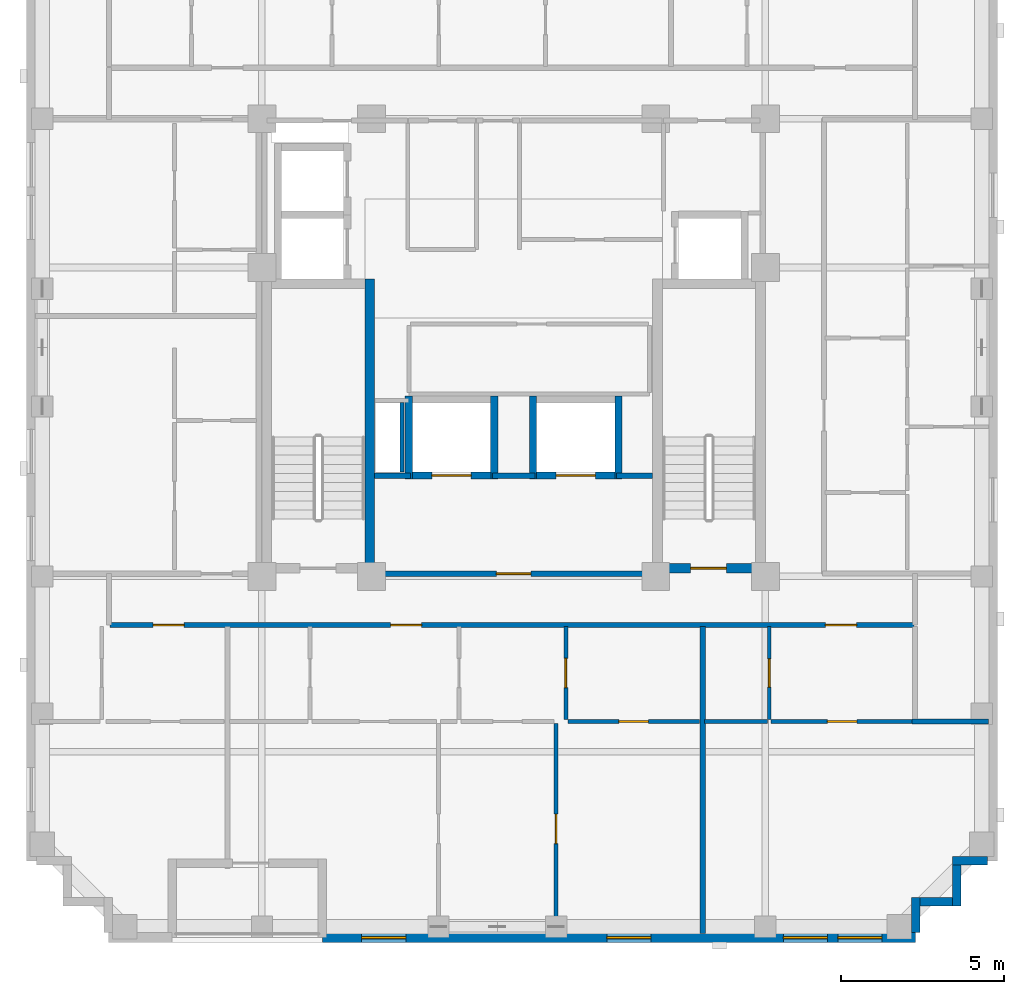
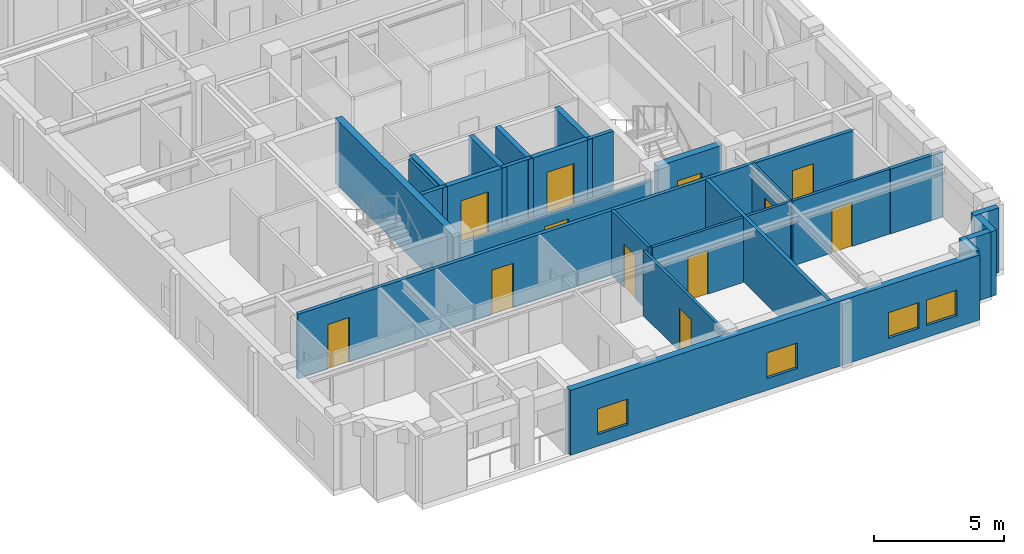
# One storey, part 3 of 10: 27 walls, 12 doors, 4 windows, 16 openings.
"""IFC4 building model written with IfcOpenShell, lengths in metres."""

import ifcopenshell
import ifcopenshell.guid

model = None  # the IFC model being written
_history = None  # IfcOwnerHistory: only IFC2X3 demands one
_inside = {}  # id of a spatial element -> (the spatial element, [elements in it])
_under = {}  # id of a project, library or spatial element -> (it, [spatial elements below it])
_declared = {}  # id of a project -> (the project, [libraries it declares])
_typed = {}  # id of a type object -> (the type object, [elements of that type])
_made_of = {}  # id of a material, layer set ... -> (it, [elements and type objects made of it])


def new_model(schema):
    """Start an empty IFC model of exactly this schema.

    Asked for "IFC4X3", IfcOpenShell would pick the latest addendum, in which some entities
    have other attributes; the version numbers below select the first issue.
    IFC2X3 requires an IfcOwnerHistory on every rooted entity: one is made here for all.
    """
    global model, _history
    if schema == "IFC4X3":
        model = ifcopenshell.file(schema_version=(4, 3, 0, 0))
    else:
        model = ifcopenshell.file(schema=schema)
    _inside.clear()
    _under.clear()
    _declared.clear()
    _typed.clear()
    _made_of.clear()
    _history = None
    if model.schema == "IFC2X3":
        org = make("IfcOrganization", Name="unknown")
        user = make(
            "IfcPersonAndOrganization",
            ThePerson=make("IfcPerson", FamilyName="unknown"),
            TheOrganization=org,
        )
        app = make(
            "IfcApplication",
            ApplicationDeveloper=org,
            Version="unknown",
            ApplicationFullName="unknown",
            ApplicationIdentifier="unknown",
        )
        _history = make(
            "IfcOwnerHistory",
            OwningUser=user,
            OwningApplication=app,
            ChangeAction="ADDED",
            CreationDate=0,
        )
    return model


def make(cls, **values):
    """One entity of the class cls with the attributes given. An attribute that is None is left unset."""
    return model.create_entity(
        cls, **{name: value for name, value in values.items() if value is not None}
    )


def rooted(cls, **values):
    """An entity with a GlobalId (a new one), such as an element, a storey or a relation."""
    return make(cls, GlobalId=ifcopenshell.guid.new(), OwnerHistory=_history, **values)


def si_unit(unit_type, name, prefix=None):
    """IfcSIUnit, for example si_unit("LENGTHUNIT", "METRE", prefix="MILLI")."""
    return make("IfcSIUnit", UnitType=unit_type, Prefix=prefix, Name=name)


def derived_unit(unit_type, elements):
    """IfcDerivedUnit: a product of units, each with its exponent."""
    return make(
        "IfcDerivedUnit",
        Elements=[
            make("IfcDerivedUnitElement", Unit=unit, Exponent=power)
            for unit, power in elements
        ],
        UnitType=unit_type,
    )


def assignment(units):
    """IfcUnitAssignment: the units of a project."""
    return None if units is None else make("IfcUnitAssignment", Units=units)


def point(xyz):
    """IfcCartesianPoint."""
    return None if xyz is None else make("IfcCartesianPoint", Coordinates=xyz)


def direction(xyz):
    """IfcDirection."""
    return None if xyz is None else make("IfcDirection", DirectionRatios=xyz)


def frame(location, z_axis=None, x_axis=None):
    """IfcAxis2Placement3D, a coordinate frame: its origin and axes. An axis left out is left unset."""
    return make(
        "IfcAxis2Placement3D",
        Location=point(location),
        Axis=direction(z_axis),
        RefDirection=direction(x_axis),
    )


def frame_2d(location, x_axis=None):
    """IfcAxis2Placement2D, a coordinate frame in the plane: its origin and x axis."""
    return make(
        "IfcAxis2Placement2D", Location=point(location), RefDirection=direction(x_axis)
    )


def origin():
    """The frame at (0, 0, 0) with its axes left unset."""
    return frame((0.0, 0.0, 0.0))


def place(relative_to, where):
    """IfcLocalPlacement: puts the frame where relative to a parent placement (None: the world)."""
    return make(
        "IfcLocalPlacement", PlacementRelTo=relative_to, RelativePlacement=where
    )


def context(
    kind, dimensions, precision=None, world=None, true_north=None, identifier=None
):
    """IfcGeometricRepresentationContext, for example the 3D "Model" context."""
    return make(
        "IfcGeometricRepresentationContext",
        ContextIdentifier=identifier,
        ContextType=kind,
        CoordinateSpaceDimension=dimensions,
        Precision=precision,
        WorldCoordinateSystem=world,
        TrueNorth=true_north,
    )


def subcontext(parent, identifier, kind, view, scale=None):
    """IfcGeometricRepresentationSubContext, for example "Body" below "Model"."""
    return make(
        "IfcGeometricRepresentationSubContext",
        ContextIdentifier=identifier,
        ContextType=kind,
        ParentContext=parent,
        TargetScale=scale,
        TargetView=view,
    )


def project(units=None, contexts=None):
    """IfcProject with its units and contexts."""
    return rooted(
        "IfcProject",
        Name="project",
        RepresentationContexts=contexts,
        UnitsInContext=assignment(units),
    )


def spatial(cls, under=None, at=None, **own):
    """A site, building, storey or space (cls), placed at a placement, below another one or the project."""
    s = rooted(cls, ObjectPlacement=at, **own)
    if under is not None:
        _under.setdefault(under.id(), (under, []))[1].append(s)
    return s


def profile(cls, at=None, kind="AREA", **sizes):
    """A parametric profile (cls). Its sizes go by their IFC names, for example OverallWidth=200.0."""
    return make(cls, ProfileType=kind, Position=at, **sizes)


def rectangle(**sizes):
    """IfcRectangleProfileDef."""
    return profile("IfcRectangleProfileDef", **sizes)


def extrude(swept, where, along, depth):
    """IfcExtrudedAreaSolid: the profile swept, set in the frame where, extruded along a direction by depth."""
    return make(
        "IfcExtrudedAreaSolid",
        SweptArea=swept,
        Position=where,
        ExtrudedDirection=direction(along),
        Depth=depth,
    )


def shape(context_of_items, identifier, shape_type, items):
    """IfcShapeRepresentation: the items that make up one representation, for example the "Body"."""
    return make(
        "IfcShapeRepresentation",
        ContextOfItems=context_of_items,
        RepresentationIdentifier=identifier,
        RepresentationType=shape_type,
        Items=items,
    )


def material(Name=None, Category=None):
    """IfcMaterial."""
    return make("IfcMaterial", Name=Name, Category=Category)


def layer(
    of_material, thickness, ventilated=None, Name=None, Category=None, Priority=None
):
    """IfcMaterialLayer: one layer of a wall or slab, of a material (None: an air gap)."""
    return make(
        "IfcMaterialLayer",
        Material=of_material,
        LayerThickness=thickness,
        IsVentilated=ventilated,
        Name=Name,
        Category=Category,
        Priority=Priority,
    )


def layer_set(layers, Name=None):
    """IfcMaterialLayerSet."""
    return make("IfcMaterialLayerSet", MaterialLayers=layers, LayerSetName=Name)


def made_of(thing, what):
    """Note that an element or type object is made of a material, layer set ...; save() writes the relation."""
    if what is not None:
        _made_of.setdefault(what.id(), (what, []))[1].append(thing)
    return thing


def type_object(cls, material=None, **own):
    """A type object (cls), such as IfcWallType, which elements share."""
    return made_of(rooted(cls, **own), material)


def element(
    cls,
    number,
    at=None,
    inside=None,
    cuts=None,
    type_object=None,
    material=None,
    context=None,
    identifier="Body",
    shape_type=None,
    held_by="IfcProductDefinitionShape",
    body=None,
    shapes=None,
    **own,
):
    """One element of the class cls, such as IfcWall. Its Tag is "e" and its number.

    at: its placement. inside: the storey or other place that contains it. cuts: it is an
    opening in that element (IfcRelVoidsElement). A single representation is given by context,
    identifier, shape_type and body (its items); several are given by shapes. held_by: the class
    of the entity that holds the representations. save() writes the other relations.
    """
    e = rooted(cls, Tag="e%d" % number, ObjectPlacement=at, **own)
    if body is not None:
        shapes = [shape(context, identifier, shape_type, body)]
    if shapes is not None:
        e.Representation = make(held_by, Representations=shapes)
    if inside is not None:
        _inside.setdefault(inside.id(), (inside, []))[1].append(e)
    if cuts is not None:
        rooted(
            "IfcRelVoidsElement", RelatingBuildingElement=cuts, RelatedOpeningElement=e
        )
    if type_object is not None:
        _typed.setdefault(type_object.id(), (type_object, []))[1].append(e)
    return made_of(e, material)


def fill(opening, filler):
    """IfcRelFillsElement: the door or window that sits in an opening."""
    return rooted(
        "IfcRelFillsElement",
        RelatingOpeningElement=opening,
        RelatedBuildingElement=filler,
    )


def aggregate(whole, parts):
    """IfcRelAggregates: a whole, such as a stair, and the parts it consists of."""
    return rooted("IfcRelAggregates", RelatingObject=whole, RelatedObjects=parts)


def save(model, path):
    """Write the relations noted so far, then the file.

    IfcRelAggregates (storeys below a building ...), IfcRelContainedInSpatialStructure (elements
    in a storey), IfcRelDefinesByType, IfcRelAssociatesMaterial and IfcRelDeclares: one each for
    every whole, place, type object, material and project.
    """
    for whole, parts in _under.values():
        aggregate(whole, parts)
    for where, things in _inside.values():
        rooted(
            "IfcRelContainedInSpatialStructure",
            RelatedElements=things,
            RelatingStructure=where,
        )
    for kind, things in _typed.values():
        rooted("IfcRelDefinesByType", RelatedObjects=things, RelatingType=kind)
    for what, things in _made_of.values():
        rooted("IfcRelAssociatesMaterial", RelatedObjects=things, RelatingMaterial=what)
    for by, libraries in _declared.values():
        rooted("IfcRelDeclares", RelatingContext=by, RelatedDefinitions=libraries)
    model.write(path)


model = new_model("IFC4")

# Units and contexts
model_context = context("Model", 3, precision=1e-05, world=origin(), true_north=direction((0.0, 1.0)))
body_context = subcontext(model_context, "Body", "Model", "MODEL_VIEW")
ifc_project = project(units=[si_unit("LENGTHUNIT", "METRE"), si_unit("AREAUNIT", "SQUARE_METRE"), si_unit("VOLUMEUNIT", "CUBIC_METRE"), si_unit("PLANEANGLEUNIT", "RADIAN"), si_unit("MASSUNIT", "GRAM", prefix="KILO"), derived_unit("THERMALTRANSMITTANCEUNIT", [(si_unit("MASSUNIT", "GRAM", prefix="KILO"), 1), (si_unit("TIMEUNIT", "SECOND"), -3), (si_unit("THERMODYNAMICTEMPERATUREUNIT", "KELVIN"), -1)])], contexts=[model_context])

# Site, building, storey
site_placement = place(None, origin())
site = spatial("IfcSite", under=ifc_project, at=site_placement, CompositionType="ELEMENT")
building_placement = place(site_placement, origin())
building = spatial("IfcBuilding", under=site, at=building_placement, Name="Korrvale Station Residences", CompositionType="ELEMENT")
storey_placement = place(building_placement, frame((0.0, 0.0, 204.10009765625)))
storey = spatial("IfcBuildingStorey", under=building, at=storey_placement, Name="L59", CompositionType="ELEMENT", Elevation=204.10009765625)

# Wall
ifc_material_1 = material(Name="Concrete C50/60", Category="concrete")
ifc_layer_1 = layer(ifc_material_1, 0.300048828125, Name="Concrete C50/60")
ifc_layer_set_1 = layer_set([ifc_layer_1], Name="Concrete C50/60")
wall_type_1 = type_object("IfcWallType", Name="WAL-CORE-300-C50", PredefinedType="SHEAR", material=ifc_layer_set_1)
wall_1_placement = place(storey_placement, frame((21.10009765625, 15.10009765625, 0.0), z_axis=(0.0, 0.0, 1.0), x_axis=(0.0, 1.0, 0.0)))
element("IfcWall", 1, at=wall_1_placement, inside=storey, type_object=wall_type_1, Name="L59 ST-1 Core Shear Wall East", PredefinedType="SHEAR", context=body_context, shape_type="SweptSolid", body=[
    extrude(rectangle(XDim=9.0, YDim=0.300048828125, at=frame_2d((4.5, 0.0))), origin(), (0.0, 0.0, 1.0), 3.039794921875),
])

# Wall, opening, door
wall_2_placement = place(storey_placement, frame((30.050048828125, 15.25, 0.0), z_axis=(0.0, 0.0, 1.0), x_axis=(1.0, 0.0, 0.0)))
wall_2 = element("IfcWall", 2, at=wall_2_placement, inside=storey, type_object=wall_type_1, Name="L59 ST-2 Core Shear Wall South", PredefinedType="SHEAR", context=body_context, shape_type="SweptSolid", body=[
    extrude(rectangle(XDim=2.849853515625, YDim=0.300048828125, at=frame_2d((1.4248046875, 0.0))), origin(), (0.0, 0.0, 1.0), 3.039794921875),
])
opening_1_placement = place(wall_2_placement, frame((0.860107421875, 0.0, 0.0)))
opening_1 = element("IfcOpeningElement", 3, at=opening_1_placement, cuts=wall_2, Name="Opening SD-1100", PredefinedType="OPENING", context=body_context, shape_type="SweptSolid", body=[
    extrude(rectangle(XDim=1.10009765625, YDim=2.050048828125, at=frame_2d((0.550048828125, 1.02490234375))), frame((0.0, 0.16015625, 0.0), z_axis=(0.0, -1.0, 0.0), x_axis=(1.0, 0.0, 0.0)), (0.0, 0.0, 1.0), 0.320068359375),
])
ifc_material_2 = material(Name="Hollow-metal fire-rated stair door with closer", Category="steel")
door_type_1 = type_object("IfcDoorType", Name="DR-STAIR-1100", OperationType="NOTDEFINED", PredefinedType="DOOR", material=ifc_material_2)
door_1_placement = place(opening_1_placement, origin())
door_1 = element("IfcDoor", 4, at=door_1_placement, inside=storey, type_object=door_type_1, Name="L59 ST-2 Exit Stair Door", OperationType="SINGLE_SWING_RIGHT", OverallHeight=2.050048828125, OverallWidth=1.10009765625, PredefinedType="DOOR", context=body_context, shape_type="SweptSolid", body=[
    extrude(rectangle(XDim=1.10009765625, YDim=2.050048828125, at=frame_2d((0.550048828125, 1.02490234375))), frame((0.0, 0.02490234375, 0.0), z_axis=(0.0, -1.0, 0.0), x_axis=(1.0, 0.0, 0.0)), (0.0, 0.0, 1.0), 0.050048828125),
])
fill(opening_1, door_1)

# Walls
ifc_material_3 = material(Name="Precast concrete C45/55", Category="concrete")
ifc_layer_2 = layer(ifc_material_3, 0.260009765625, Name="Precast concrete C45/55")
ifc_layer_set_2 = layer_set([ifc_layer_2], Name="Precast concrete C45/55")
wall_type_2 = type_object("IfcWallType", Name="WAL-EXT-LOG260", PredefinedType="SOLIDWALL", material=ifc_layer_set_2)
wall_3_placement = place(storey_placement, frame((39.998046875, 6.300048828125, 0.0), z_axis=(0.0, 0.0, 1.0), x_axis=(-1.0, 0.0, 0.0)))
element("IfcWall", 5, at=wall_3_placement, inside=storey, type_object=wall_type_2, Name="L59 Serrated Corner Precast Step SE-1", PredefinedType="SOLIDWALL", context=body_context, shape_type="SweptSolid", body=[
    extrude(rectangle(XDim=1.078125, YDim=0.260009765625, at=frame_2d((0.5390625, 0.0))), origin(), (0.0, 0.0, 1.0), 3.039794921875),
])
wall_4_placement = place(storey_placement, frame((39.050048828125, 6.16796875, 0.0), z_axis=(0.0, 0.0, 1.0), x_axis=(0.0, -1.0, 0.0)))
element("IfcWall", 6, at=wall_4_placement, inside=storey, type_object=wall_type_2, Name="L59 Serrated Corner Precast Step SE-2", PredefinedType="SOLIDWALL", context=body_context, shape_type="SweptSolid", body=[
    extrude(rectangle(XDim=1.248046875, YDim=0.260009765625, at=frame_2d((0.6240234375, 0.0))), origin(), (0.0, 0.0, 1.0), 3.039794921875),
])
wall_5_placement = place(storey_placement, frame((38.91796875, 5.050048828125, 0.0), z_axis=(0.0, 0.0, 1.0), x_axis=(-1.0, 0.0, 0.0)))
element("IfcWall", 7, at=wall_5_placement, inside=storey, type_object=wall_type_2, Name="L59 Serrated Corner Precast Step SE-3", PredefinedType="SOLIDWALL", context=body_context, shape_type="SweptSolid", body=[
    extrude(rectangle(XDim=0.986083984375, YDim=0.260009765625, at=frame_2d((0.4931640625, 0.0))), origin(), (0.0, 0.0, 1.0), 3.039794921875),
])
wall_6_placement = place(storey_placement, frame((37.800048828125, 5.179931640625, 0.0), z_axis=(0.0, 0.0, 1.0), x_axis=(0.0, -1.0, 0.0)))
element("IfcWall", 8, at=wall_6_placement, inside=storey, type_object=wall_type_2, Name="L59 Serrated Corner Precast Step SE-4", PredefinedType="SOLIDWALL", context=body_context, shape_type="SweptSolid", body=[
    extrude(rectangle(XDim=1.077880859375, YDim=0.260009765625, at=frame_2d((0.5390625, 0.0))), origin(), (0.0, 0.0, 1.0), 3.039794921875),
])

# Wall, openings, windows
ifc_layer_3 = layer(ifc_material_3, 0.300048828125, Name="Precast concrete C45/55")
ifc_layer_set_3 = layer_set([ifc_layer_3], Name="Precast concrete C45/55")
wall_type_3 = type_object("IfcWallType", Name="WAL-EXT-PC300", PredefinedType="SOLIDWALL", material=ifc_layer_set_3)
wall_7_placement = place(storey_placement, frame((37.800048828125, 3.949951171875, 0.0), z_axis=(0.0, 0.0, 1.0), x_axis=(-1.0, 0.0, 0.0)))
wall_7 = element("IfcWall", 9, at=wall_7_placement, inside=storey, type_object=wall_type_3, Name="L59 South Exterior Precast Wall 1", PredefinedType="SOLIDWALL", context=body_context, shape_type="SweptSolid", body=[
    extrude(rectangle(XDim=18.150146484375, YDim=0.300048828125, at=frame_2d((9.0751953125, 0.0))), origin(), (0.0, 0.0, 1.0), 3.039794921875),
])
opening_2_placement = place(wall_7_placement, frame((15.60009765625, 0.0, 0.550048828125)))
opening_2 = element("IfcOpeningElement", 10, at=opening_2_placement, cuts=wall_7, Name="Opening W-10", PredefinedType="OPENING", context=body_context, shape_type="SweptSolid", body=[
    extrude(rectangle(XDim=1.35009765625, YDim=1.199951171875, at=frame_2d((0.675048828125, 0.60009765625))), frame((0.0, 0.16015625, 0.0), z_axis=(0.0, -1.0, 0.0), x_axis=(1.0, 0.0, 0.0)), (0.0, 0.0, 1.0), 0.320068359375),
])
opening_3_placement = place(wall_7_placement, frame((8.10009765625, 0.0, 0.550048828125)))
opening_3 = element("IfcOpeningElement", 11, at=opening_3_placement, cuts=wall_7, Name="Opening W-10", PredefinedType="OPENING", context=body_context, shape_type="SweptSolid", body=[
    extrude(rectangle(XDim=1.35009765625, YDim=1.199951171875, at=frame_2d((0.675048828125, 0.60009765625))), frame((0.0, 0.16015625, 0.0), z_axis=(0.0, -1.0, 0.0), x_axis=(1.0, 0.0, 0.0)), (0.0, 0.0, 1.0), 0.320068359375),
])
opening_4_placement = place(wall_7_placement, frame((2.699951171875, 0.0, 0.550048828125)))
opening_4 = element("IfcOpeningElement", 12, at=opening_4_placement, cuts=wall_7, Name="Opening W-10", PredefinedType="OPENING", context=body_context, shape_type="SweptSolid", body=[
    extrude(rectangle(XDim=1.35009765625, YDim=1.199951171875, at=frame_2d((0.675048828125, 0.60009765625))), frame((0.0, 0.16015625, 0.0), z_axis=(0.0, -1.0, 0.0), x_axis=(1.0, 0.0, 0.0)), (0.0, 0.0, 1.0), 0.320068359375),
])
opening_5_placement = place(wall_7_placement, frame((1.034912109375, 0.0, 0.550048828125)))
opening_5 = element("IfcOpeningElement", 13, at=opening_5_placement, cuts=wall_7, Name="Opening W-10", PredefinedType="OPENING", context=body_context, shape_type="SweptSolid", body=[
    extrude(rectangle(XDim=1.35009765625, YDim=1.199951171875, at=frame_2d((0.675048828125, 0.60009765625))), frame((0.0, 0.16015625, 0.0), z_axis=(0.0, -1.0, 0.0), x_axis=(1.0, 0.0, 0.0)), (0.0, 0.0, 1.0), 0.320068359375),
])
ifc_material_4 = material(Name="Thermally broken aluminium frame with triple low-e glazing", Category="aluminium")
window_type = type_object("IfcWindowType", Name="WIN-W10", PartitioningType="SINGLE_PANEL", PredefinedType="WINDOW", material=ifc_material_4)
window_1_placement = place(opening_2_placement, origin())
window_1 = element("IfcWindow", 14, at=window_1_placement, inside=storey, type_object=window_type, Name="L59 Punched Window 02", OverallHeight=1.199951171875, OverallWidth=1.35009765625, PartitioningType="SINGLE_PANEL", PredefinedType="WINDOW", context=body_context, shape_type="SweptSolid", body=[
    extrude(rectangle(XDim=1.35009765625, YDim=1.199951171875, at=frame_2d((0.675048828125, 0.60009765625))), frame((0.0, 0.030029296875, 0.0), z_axis=(0.0, -1.0, 0.0), x_axis=(1.0, 0.0, 0.0)), (0.0, 0.0, 1.0), 0.06005859375),
])
fill(opening_2, window_1)
window_2_placement = place(opening_3_placement, origin())
window_2 = element("IfcWindow", 15, at=window_2_placement, inside=storey, type_object=window_type, Name="L59 Punched Window 03", OverallHeight=1.199951171875, OverallWidth=1.35009765625, PartitioningType="SINGLE_PANEL", PredefinedType="WINDOW", context=body_context, shape_type="SweptSolid", body=[
    extrude(rectangle(XDim=1.35009765625, YDim=1.199951171875, at=frame_2d((0.675048828125, 0.60009765625))), frame((0.0, 0.030029296875, 0.0), z_axis=(0.0, -1.0, 0.0), x_axis=(1.0, 0.0, 0.0)), (0.0, 0.0, 1.0), 0.06005859375),
])
fill(opening_3, window_2)
window_3_placement = place(opening_4_placement, origin())
window_3 = element("IfcWindow", 16, at=window_3_placement, inside=storey, type_object=window_type, Name="L59 Punched Window 04", OverallHeight=1.199951171875, OverallWidth=1.35009765625, PartitioningType="SINGLE_PANEL", PredefinedType="WINDOW", context=body_context, shape_type="SweptSolid", body=[
    extrude(rectangle(XDim=1.35009765625, YDim=1.199951171875, at=frame_2d((0.675048828125, 0.60009765625))), frame((0.0, 0.030029296875, 0.0), z_axis=(0.0, -1.0, 0.0), x_axis=(1.0, 0.0, 0.0)), (0.0, 0.0, 1.0), 0.06005859375),
])
fill(opening_4, window_3)
window_4_placement = place(opening_5_placement, origin())
window_4 = element("IfcWindow", 17, at=window_4_placement, inside=storey, type_object=window_type, Name="L59 Punched Window 05", OverallHeight=1.199951171875, OverallWidth=1.35009765625, PartitioningType="SINGLE_PANEL", PredefinedType="WINDOW", context=body_context, shape_type="SweptSolid", body=[
    extrude(rectangle(XDim=1.35009765625, YDim=1.199951171875, at=frame_2d((0.675048828125, 0.60009765625))), frame((0.0, 0.030029296875, 0.0), z_axis=(0.0, -1.0, 0.0), x_axis=(1.0, 0.0, 0.0)), (0.0, 0.0, 1.0), 0.06005859375),
])
fill(opening_5, window_4)

# Wall
ifc_material_5 = material(Name="Acoustic steel-stud gypsum board partition", Category="steel")
ifc_layer_4 = layer(ifc_material_5, 0.1201171875, Name="Acoustic steel-stud gypsum board partition")
ifc_layer_set_4 = layer_set([ifc_layer_4], Name="Acoustic steel-stud gypsum board partition")
wall_type_4 = type_object("IfcWallType", Name="WAL-PART-125", PredefinedType="PARTITIONING", material=ifc_layer_set_4)
wall_8_placement = place(storey_placement, frame((22.080078125, 18.199951171875, 0.0), z_axis=(0.0, 0.0, 1.0), x_axis=(0.0, 1.0, 0.0)))
element("IfcWall", 18, at=wall_8_placement, inside=storey, type_object=wall_type_4, Name="L59 Core Partition CW-RSWT", PredefinedType="PARTITIONING", context=body_context, shape_type="SweptSolid", body=[
    extrude(rectangle(XDim=2.1201171875, YDim=0.1201171875, at=frame_2d((1.06005859375, 0.0))), origin(), (0.0, 0.0, 1.0), 3.039794921875),
])

# Wall, opening, door
wall_9_placement = place(storey_placement, frame((27.095947265625, 10.6201171875, 0.0), z_axis=(0.0, 0.0, 1.0), x_axis=(0.0, 1.0, 0.0)))
wall_9 = element("IfcWall", 19, at=wall_9_placement, inside=storey, type_object=wall_type_4, Name="L59 Suite Partition U02-V23", PredefinedType="PARTITIONING", context=body_context, shape_type="SweptSolid", body=[
    extrude(rectangle(XDim=2.849853515625, YDim=0.1201171875, at=frame_2d((1.4248046875, 0.0))), origin(), (0.0, 0.0, 1.0), 3.039794921875),
])
opening_6_placement = place(wall_9_placement, frame((0.97509765625, 0.0, 0.0)))
opening_6 = element("IfcOpeningElement", 20, at=opening_6_placement, cuts=wall_9, Name="Opening DI-900", PredefinedType="OPENING", context=body_context, shape_type="SweptSolid", body=[
    extrude(rectangle(XDim=0.89990234375, YDim=2.050048828125, at=frame_2d((0.449951171875, 1.02490234375))), frame((0.0, 0.070068359375, 0.0), z_axis=(0.0, -1.0, 0.0), x_axis=(1.0, 0.0, 0.0)), (0.0, 0.0, 1.0), 0.14013671875),
])
ifc_material_6 = material(Name="Painted solid-core timber interior room door", Category="wood")
door_type_2 = type_object("IfcDoorType", Name="DR-INT-900", OperationType="NOTDEFINED", PredefinedType="DOOR", material=ifc_material_6)
door_2_placement = place(opening_6_placement, origin())
door_2 = element("IfcDoor", 21, at=door_2_placement, inside=storey, type_object=door_type_2, Name="L59 Apartment 1BR L59-U02 Home Study Room Door", OperationType="SINGLE_SWING_RIGHT", OverallHeight=2.050048828125, OverallWidth=0.89990234375, PredefinedType="DOOR", context=body_context, shape_type="SweptSolid", body=[
    extrude(rectangle(XDim=0.89990234375, YDim=2.050048828125, at=frame_2d((0.449951171875, 1.02490234375))), frame((0.0, 0.02490234375, 0.0), z_axis=(0.0, -1.0, 0.0), x_axis=(1.0, 0.0, 0.0)), (0.0, 0.0, 1.0), 0.050048828125),
])
fill(opening_6, door_2)

wall_10_placement = place(storey_placement, frame((27.156005859375, 10.56005859375, 0.0), z_axis=(0.0, 0.0, 1.0), x_axis=(1.0, 0.0, 0.0)))
wall_10 = element("IfcWall", 22, at=wall_10_placement, inside=storey, type_object=wall_type_4, Name="L59 Suite Partition U02-H36", PredefinedType="PARTITIONING", context=body_context, shape_type="SweptSolid", body=[
    extrude(rectangle(XDim=4.030029296875, YDim=0.1201171875, at=frame_2d((2.01513671875, 0.0))), origin(), (0.0, 0.0, 1.0), 3.039794921875),
])
opening_7_placement = place(wall_10_placement, frame((1.56494140625, 0.0, 0.0)))
opening_7 = element("IfcOpeningElement", 23, at=opening_7_placement, cuts=wall_10, Name="Opening DI-900", PredefinedType="OPENING", context=body_context, shape_type="SweptSolid", body=[
    extrude(rectangle(XDim=0.89990234375, YDim=2.050048828125, at=frame_2d((0.449951171875, 1.02490234375))), frame((0.0, 0.070068359375, 0.0), z_axis=(0.0, -1.0, 0.0), x_axis=(1.0, 0.0, 0.0)), (0.0, 0.0, 1.0), 0.14013671875),
])
door_3_placement = place(opening_7_placement, origin())
door_3 = element("IfcDoor", 24, at=door_3_placement, inside=storey, type_object=door_type_2, Name="L59 Apartment 1BR L59-U02 Home Study Room Door", OperationType="SINGLE_SWING_RIGHT", OverallHeight=2.050048828125, OverallWidth=0.89990234375, PredefinedType="DOOR", context=body_context, shape_type="SweptSolid", body=[
    extrude(rectangle(XDim=0.89990234375, YDim=2.050048828125, at=frame_2d((0.449951171875, 1.02490234375))), frame((0.0, 0.02490234375, 0.0), z_axis=(0.0, -1.0, 0.0), x_axis=(1.0, 0.0, 0.0)), (0.0, 0.0, 1.0), 0.050048828125),
])
fill(opening_7, door_3)

wall_11_placement = place(storey_placement, frame((26.800048828125, 4.080078125, 0.0), z_axis=(0.0, 0.0, 1.0), x_axis=(0.0, 1.0, 0.0)))
wall_11 = element("IfcWall", 25, at=wall_11_placement, inside=storey, type_object=wall_type_4, Name="L59 Suite Partition U02-V56", PredefinedType="PARTITIONING", context=body_context, shape_type="SweptSolid", body=[
    extrude(rectangle(XDim=6.419921875, YDim=0.1201171875, at=frame_2d((3.2099609375, 0.0))), origin(), (0.0, 0.0, 1.0), 3.039794921875),
])
opening_8_placement = place(wall_11_placement, frame((2.7451171875, 0.0, 0.0)))
opening_8 = element("IfcOpeningElement", 26, at=opening_8_placement, cuts=wall_11, Name="Opening DI-900", PredefinedType="OPENING", context=body_context, shape_type="SweptSolid", body=[
    extrude(rectangle(XDim=0.89990234375, YDim=2.050048828125, at=frame_2d((0.449951171875, 1.02490234375))), frame((0.0, 0.070068359375, 0.0), z_axis=(0.0, -1.0, 0.0), x_axis=(1.0, 0.0, 0.0)), (0.0, 0.0, 1.0), 0.14013671875),
])
door_4_placement = place(opening_8_placement, origin())
door_4 = element("IfcDoor", 27, at=door_4_placement, inside=storey, type_object=door_type_2, Name="L59 Apartment 1BR L59-U02 Wardrobe Storage Room Door", OperationType="SINGLE_SWING_RIGHT", OverallHeight=2.050048828125, OverallWidth=0.89990234375, PredefinedType="DOOR", context=body_context, shape_type="SweptSolid", body=[
    extrude(rectangle(XDim=0.89990234375, YDim=2.050048828125, at=frame_2d((0.449951171875, 1.02490234375))), frame((0.0, 0.02490234375, 0.0), z_axis=(0.0, -1.0, 0.0), x_axis=(1.0, 0.0, 0.0)), (0.0, 0.0, 1.0), 0.050048828125),
])
fill(opening_8, door_4)

wall_12_placement = place(storey_placement, frame((33.318115234375, 10.6201171875, 0.0), z_axis=(0.0, 0.0, 1.0), x_axis=(0.0, 1.0, 0.0)))
wall_12 = element("IfcWall", 28, at=wall_12_placement, inside=storey, type_object=wall_type_4, Name="L59 Suite Partition U03-V01", PredefinedType="PARTITIONING", context=body_context, shape_type="SweptSolid", body=[
    extrude(rectangle(XDim=2.849853515625, YDim=0.1201171875, at=frame_2d((1.4248046875, 0.0))), origin(), (0.0, 0.0, 1.0), 3.039794921875),
])
opening_9_placement = place(wall_12_placement, frame((0.9951171875, 0.0, 0.0)))
opening_9 = element("IfcOpeningElement", 29, at=opening_9_placement, cuts=wall_12, Name="Opening DB-860", PredefinedType="OPENING", context=body_context, shape_type="SweptSolid", body=[
    extrude(rectangle(XDim=0.860107421875, YDim=2.050048828125, at=frame_2d((0.43017578125, 1.02490234375))), frame((0.0, 0.070068359375, 0.0), z_axis=(0.0, -1.0, 0.0), x_axis=(1.0, 0.0, 0.0)), (0.0, 0.0, 1.0), 0.14013671875),
])
ifc_material_7 = material(Name="Moisture-resistant solid-core bathroom door", Category="timber")
door_type_3 = type_object("IfcDoorType", Name="DR-BATH-860", OperationType="NOTDEFINED", PredefinedType="DOOR", material=ifc_material_7)
door_5_placement = place(opening_9_placement, origin())
door_5 = element("IfcDoor", 30, at=door_5_placement, inside=storey, type_object=door_type_3, Name="L59 Studio Apartment L59-U03 Bathroom Door", OperationType="SINGLE_SWING_LEFT", OverallHeight=2.050048828125, OverallWidth=0.860107421875, PredefinedType="DOOR", context=body_context, shape_type="SweptSolid", body=[
    extrude(rectangle(XDim=0.860107421875, YDim=2.050048828125, at=frame_2d((0.43017578125, 1.02490234375))), frame((0.0, 0.02490234375, 0.0), z_axis=(0.0, -1.0, 0.0), x_axis=(1.0, 0.0, 0.0)), (0.0, 0.0, 1.0), 0.050048828125),
])
fill(opening_9, door_5)

# Wall
wall_13_placement = place(storey_placement, frame((31.345947265625, 10.56005859375, 0.0), z_axis=(0.0, 0.0, 1.0), x_axis=(1.0, 0.0, 0.0)))
element("IfcWall", 31, at=wall_13_placement, inside=storey, type_object=wall_type_4, Name="L59 Suite Partition U03-H02", PredefinedType="PARTITIONING", context=body_context, shape_type="SweptSolid", body=[
    extrude(rectangle(XDim=1.912109375, YDim=0.1201171875, at=frame_2d((0.9560546875, 0.0))), origin(), (0.0, 0.0, 1.0), 3.039794921875),
])

# Wall, opening, door
wall_14_placement = place(storey_placement, frame((33.3779296875, 10.56005859375, 0.0), z_axis=(0.0, 0.0, 1.0), x_axis=(1.0, 0.0, 0.0)))
wall_14 = element("IfcWall", 32, at=wall_14_placement, inside=storey, type_object=wall_type_4, Name="L59 Suite Partition U03-H12", PredefinedType="PARTITIONING", context=body_context, shape_type="SweptSolid", body=[
    extrude(rectangle(XDim=4.342041015625, YDim=0.1201171875, at=frame_2d((2.1708984375, 0.0))), origin(), (0.0, 0.0, 1.0), 3.039794921875),
])
opening_10_placement = place(wall_14_placement, frame((1.720947265625, 0.0, 0.0)))
opening_10 = element("IfcOpeningElement", 33, at=opening_10_placement, cuts=wall_14, Name="Opening DI-900", PredefinedType="OPENING", context=body_context, shape_type="SweptSolid", body=[
    extrude(rectangle(XDim=0.89990234375, YDim=2.050048828125, at=frame_2d((0.449951171875, 1.02490234375))), frame((0.0, 0.070068359375, 0.0), z_axis=(0.0, -1.0, 0.0), x_axis=(1.0, 0.0, 0.0)), (0.0, 0.0, 1.0), 0.14013671875),
])
door_6_placement = place(opening_10_placement, origin())
door_6 = element("IfcDoor", 34, at=door_6_placement, inside=storey, type_object=door_type_2, Name="L59 Studio Apartment L59-U03 Kitchen Door", OperationType="SINGLE_SWING_RIGHT", OverallHeight=2.050048828125, OverallWidth=0.89990234375, PredefinedType="DOOR", context=body_context, shape_type="SweptSolid", body=[
    extrude(rectangle(XDim=0.89990234375, YDim=2.050048828125, at=frame_2d((0.449951171875, 1.02490234375))), frame((0.0, 0.02490234375, 0.0), z_axis=(0.0, -1.0, 0.0), x_axis=(1.0, 0.0, 0.0)), (0.0, 0.0, 1.0), 0.050048828125),
])
fill(opening_10, door_6)

ifc_material_8 = material(Name="Fire-rated twin-stud gypsum and mineral wool shaftwall assembly", Category="gypsum")
ifc_layer_5 = layer(ifc_material_8, 0.159912109375, Name="Fire-rated twin-stud gypsum and mineral wool shaftwall assembly")
ifc_layer_set_5 = layer_set([ifc_layer_5], Name="Fire-rated twin-stud gypsum and mineral wool shaftwall assembly")
wall_type_5 = type_object("IfcWallType", Name="WAL-PART-200", PredefinedType="PARTITIONING", material=ifc_layer_set_5)
wall_15_placement = place(storey_placement, frame((21.25, 15.080078125, 0.0), z_axis=(0.0, 0.0, 1.0), x_axis=(1.0, 0.0, 0.0)))
wall_15 = element("IfcWall", 35, at=wall_15_placement, inside=storey, type_object=wall_type_5, Name="L59 Core Partition CW-FFL-S", PredefinedType="PARTITIONING", context=body_context, shape_type="SweptSolid", body=[
    extrude(rectangle(XDim=8.5, YDim=0.159912109375, at=frame_2d((4.25, 0.0))), origin(), (0.0, 0.0, 1.0), 2.555908203125),
])
opening_11_placement = place(wall_15_placement, frame((3.72509765625, 0.0, 0.0)))
opening_11 = element("IfcOpeningElement", 36, at=opening_11_placement, cuts=wall_15, Name="Opening FD-1050", PredefinedType="OPENING", context=body_context, shape_type="SweptSolid", body=[
    extrude(rectangle(XDim=1.050048828125, YDim=2.050048828125, at=frame_2d((0.52490234375, 1.02490234375))), frame((0.0, 0.08984375, 0.0), z_axis=(0.0, -1.0, 0.0), x_axis=(1.0, 0.0, 0.0)), (0.0, 0.0, 1.0), 0.179931640625),
])
ifc_material_9 = material(Name="Fire-rated mineral-core timber lobby door", Category="wood")
door_type_4 = type_object("IfcDoorType", Name="DR-CORE-1050", OperationType="NOTDEFINED", PredefinedType="DOOR", material=ifc_material_9)
door_7_placement = place(opening_11_placement, origin())
door_7 = element("IfcDoor", 37, at=door_7_placement, inside=storey, type_object=door_type_4, Name="L59 Firefighting Lobby Entry Door", OperationType="SINGLE_SWING_RIGHT", OverallHeight=2.050048828125, OverallWidth=1.050048828125, PredefinedType="DOOR", context=body_context, shape_type="SweptSolid", body=[
    extrude(rectangle(XDim=1.050048828125, YDim=2.050048828125, at=frame_2d((0.52490234375, 1.02490234375))), frame((0.0, 0.02490234375, 0.0), z_axis=(0.0, -1.0, 0.0), x_axis=(1.0, 0.0, 0.0)), (0.0, 0.0, 1.0), 0.050048828125),
])
fill(opening_11, door_7)

# Walls
wall_16_placement = place(storey_placement, frame((21.25, 18.080078125, 0.0), z_axis=(0.0, 0.0, 1.0), x_axis=(1.0, 0.0, 0.0)))
element("IfcWall", 38, at=wall_16_placement, inside=storey, type_object=wall_type_5, Name="L59 Core Partition CW-FFL-N1", PredefinedType="PARTITIONING", context=body_context, shape_type="SweptSolid", body=[
    extrude(rectangle(XDim=1.10009765625, YDim=0.159912109375, at=frame_2d((0.550048828125, 0.0))), origin(), (0.0, 0.0, 1.0), 3.039794921875),
])
wall_17_placement = place(storey_placement, frame((24.85009765625, 18.080078125, 0.0), z_axis=(0.0, 0.0, 1.0), x_axis=(1.0, 0.0, 0.0)))
element("IfcWall", 39, at=wall_17_placement, inside=storey, type_object=wall_type_5, Name="L59 Core Partition CW-FFL-N2", PredefinedType="PARTITIONING", context=body_context, shape_type="SweptSolid", body=[
    extrude(rectangle(XDim=1.2998046875, YDim=0.159912109375, at=frame_2d((0.64990234375, 0.0))), origin(), (0.0, 0.0, 1.0), 3.039794921875),
])
wall_18_placement = place(storey_placement, frame((28.64990234375, 18.080078125, 0.0), z_axis=(0.0, 0.0, 1.0), x_axis=(1.0, 0.0, 0.0)))
element("IfcWall", 40, at=wall_18_placement, inside=storey, type_object=wall_type_5, Name="L59 Core Partition CW-FFL-N3", PredefinedType="PARTITIONING", context=body_context, shape_type="SweptSolid", body=[
    extrude(rectangle(XDim=1.10009765625, YDim=0.159912109375, at=frame_2d((0.550048828125, 0.0))), origin(), (0.0, 0.0, 1.0), 3.039794921875),
])
wall_19_placement = place(storey_placement, frame((37.679931640625, 10.56005859375, 0.0), z_axis=(0.0, 0.0, 1.0), x_axis=(1.0, 0.0, 0.0)))
element("IfcWall", 41, at=wall_19_placement, inside=storey, type_object=wall_type_5, Name="L59 Corner Step Wall U03-R", PredefinedType="PARTITIONING", context=body_context, shape_type="SweptSolid", body=[
    extrude(rectangle(XDim=2.340087890625, YDim=0.159912109375, at=frame_2d((1.169921875, 0.0))), origin(), (0.0, 0.0, 1.0), 3.039794921875),
])
wall_20_placement = place(storey_placement, frame((31.285888671875, 4.080078125, 0.0), z_axis=(0.0, 0.0, 1.0), x_axis=(0.0, 1.0, 0.0)))
element("IfcWall", 42, at=wall_20_placement, inside=storey, type_object=wall_type_5, Name="L59 Demising Wall U03-W", PredefinedType="PARTITIONING", context=body_context, shape_type="SweptSolid", body=[
    extrude(rectangle(XDim=9.389892578125, YDim=0.159912109375, at=frame_2d((4.69482421875, 0.0))), origin(), (0.0, 0.0, 1.0), 3.039794921875),
])

# Wall, openings, doors
wall_21_placement = place(storey_placement, frame((13.14990234375, 13.510009765625, 0.0), z_axis=(0.0, 0.0, 1.0), x_axis=(1.0, 0.0, 0.0)))
wall_21 = element("IfcWall", 43, at=wall_21_placement, inside=storey, type_object=wall_type_5, Name="L59 Rated Corridor Wall S", PredefinedType="PARTITIONING", context=body_context, shape_type="SweptSolid", body=[
    extrude(rectangle(XDim=24.60009765625, YDim=0.159912109375, at=frame_2d((12.300048828125, 0.0))), origin(), (0.0, 0.0, 1.0), 3.039794921875),
])
opening_12_placement = place(wall_21_placement, frame((1.322998046875, 0.0, 0.0)))
opening_12 = element("IfcOpeningElement", 44, at=opening_12_placement, cuts=wall_21, Name="Opening UD-950", PredefinedType="OPENING", context=body_context, shape_type="SweptSolid", body=[
    extrude(rectangle(XDim=0.949951171875, YDim=2.10009765625, at=frame_2d((0.47509765625, 1.050048828125))), frame((0.0, 0.08984375, 0.0), z_axis=(0.0, -1.0, 0.0), x_axis=(1.0, 0.0, 0.0)), (0.0, 0.0, 1.0), 0.179931640625),
])
opening_13_placement = place(wall_21_placement, frame((8.5849609375, 0.0, 0.0)))
opening_13 = element("IfcOpeningElement", 45, at=opening_13_placement, cuts=wall_21, Name="Opening UD-950", PredefinedType="OPENING", context=body_context, shape_type="SweptSolid", body=[
    extrude(rectangle(XDim=0.949951171875, YDim=2.10009765625, at=frame_2d((0.47509765625, 1.050048828125))), frame((0.0, 0.08984375, 0.0), z_axis=(0.0, -1.0, 0.0), x_axis=(1.0, 0.0, 0.0)), (0.0, 0.0, 1.0), 0.179931640625),
])
opening_14_placement = place(wall_21_placement, frame((21.888916015625, 0.0, 0.0)))
opening_14 = element("IfcOpeningElement", 46, at=opening_14_placement, cuts=wall_21, Name="Opening UD-950", PredefinedType="OPENING", context=body_context, shape_type="SweptSolid", body=[
    extrude(rectangle(XDim=0.949951171875, YDim=2.10009765625, at=frame_2d((0.47509765625, 1.050048828125))), frame((0.0, 0.08984375, 0.0), z_axis=(0.0, -1.0, 0.0), x_axis=(1.0, 0.0, 0.0)), (0.0, 0.0, 1.0), 0.179931640625),
])
ifc_material_10 = material(Name="Solid-core acoustic oak apartment entrance door", Category="timber")
door_type_5 = type_object("IfcDoorType", Name="DR-UNIT-950", OperationType="NOTDEFINED", PredefinedType="DOOR", material=ifc_material_10)
door_8_placement = place(opening_12_placement, origin())
door_8 = element("IfcDoor", 47, at=door_8_placement, inside=storey, type_object=door_type_5, Name="L59 Apartment L59-U01 Entrance Door", OperationType="SINGLE_SWING_LEFT", OverallHeight=2.10009765625, OverallWidth=0.949951171875, PredefinedType="DOOR", context=body_context, shape_type="SweptSolid", body=[
    extrude(rectangle(XDim=0.949951171875, YDim=2.10009765625, at=frame_2d((0.47509765625, 1.050048828125))), frame((0.0, 0.02490234375, 0.0), z_axis=(0.0, -1.0, 0.0), x_axis=(1.0, 0.0, 0.0)), (0.0, 0.0, 1.0), 0.050048828125),
])
fill(opening_12, door_8)
door_9_placement = place(opening_13_placement, origin())
door_9 = element("IfcDoor", 48, at=door_9_placement, inside=storey, type_object=door_type_5, Name="L59 Apartment L59-U02 Entrance Door", OperationType="SINGLE_SWING_RIGHT", OverallHeight=2.10009765625, OverallWidth=0.949951171875, PredefinedType="DOOR", context=body_context, shape_type="SweptSolid", body=[
    extrude(rectangle(XDim=0.949951171875, YDim=2.10009765625, at=frame_2d((0.47509765625, 1.050048828125))), frame((0.0, 0.02490234375, 0.0), z_axis=(0.0, -1.0, 0.0), x_axis=(1.0, 0.0, 0.0)), (0.0, 0.0, 1.0), 0.050048828125),
])
fill(opening_13, door_9)
door_10_placement = place(opening_14_placement, origin())
door_10 = element("IfcDoor", 49, at=door_10_placement, inside=storey, type_object=door_type_5, Name="L59 Apartment L59-U03 Entrance Door", OperationType="SINGLE_SWING_LEFT", OverallHeight=2.10009765625, OverallWidth=0.949951171875, PredefinedType="DOOR", context=body_context, shape_type="SweptSolid", body=[
    extrude(rectangle(XDim=0.949951171875, YDim=2.10009765625, at=frame_2d((0.47509765625, 1.050048828125))), frame((0.0, 0.02490234375, 0.0), z_axis=(0.0, -1.0, 0.0), x_axis=(1.0, 0.0, 0.0)), (0.0, 0.0, 1.0), 0.050048828125),
])
fill(opening_14, door_10)

# Wall, opening, door
ifc_layer_6 = layer(ifc_material_1, 0.219970703125, Name="Concrete C50/60")
ifc_layer_set_6 = layer_set([ifc_layer_6], Name="Concrete C50/60")
wall_type_6 = type_object("IfcWallType", Name="WAL-SHAFT-220-C50", PredefinedType="SHEAR", material=ifc_layer_set_6)
wall_22_placement = place(storey_placement, frame((22.39990234375, 18.090087890625, 0.0), z_axis=(0.0, 0.0, 1.0), x_axis=(1.0, 0.0, 0.0)))
wall_22 = element("IfcWall", 50, at=wall_22_placement, inside=storey, type_object=wall_type_6, Name="L59 Elevator FFL-1 Hoistway Wall South", PredefinedType="SHEAR", context=body_context, shape_type="SweptSolid", body=[
    extrude(rectangle(XDim=2.400146484375, YDim=0.219970703125, at=frame_2d((1.2001953125, 0.0))), origin(), (0.0, 0.0, 1.0), 3.039794921875),
])
opening_15_placement = place(wall_22_placement, frame((0.60009765625, 0.0, 0.0)))
opening_15 = element("IfcOpeningElement", 51, at=opening_15_placement, cuts=wall_22, Name="Opening LD-FF1200", PredefinedType="OPENING", context=body_context, shape_type="SweptSolid", body=[
    extrude(rectangle(XDim=1.199951171875, YDim=2.14990234375, at=frame_2d((0.60009765625, 1.074951171875))), frame((0.0, 0.1201171875, 0.0), z_axis=(0.0, -1.0, 0.0), x_axis=(1.0, 0.0, 0.0)), (0.0, 0.0, 1.0), 0.239990234375),
])
ifc_material_11 = material(Name="Stainless-steel firefighter elevator landing sliding door", Category="steel")
door_type_6 = type_object("IfcDoorType", Name="DR-LIFT-FF1200", OperationType="SLIDING_TO_LEFT", PredefinedType="DOOR", material=ifc_material_11)
door_11_placement = place(opening_15_placement, origin())
door_11 = element("IfcDoor", 52, at=door_11_placement, inside=storey, type_object=door_type_6, Name="L59 Elevator FFL-1 Sliding Landing Door", OperationType="SLIDING_TO_LEFT", OverallHeight=2.14990234375, OverallWidth=1.199951171875, PredefinedType="DOOR", context=body_context, shape_type="SweptSolid", body=[
    extrude(rectangle(XDim=1.199951171875, YDim=2.14990234375, at=frame_2d((0.60009765625, 1.074951171875))), frame((0.0, 0.02490234375, 0.0), z_axis=(0.0, -1.0, 0.0), x_axis=(1.0, 0.0, 0.0)), (0.0, 0.0, 1.0), 0.050048828125),
])
fill(opening_15, door_11)

# Walls
for number, where, z_axis, x_axis, name in (
    (53, (22.2900390625, 17.97998046875, 0.0), (0.0, 0.0, 1.0), (0.0, 1.0, 0.0), "L59 Elevator FFL-1 Hoistway Wall West"),
    (54, (24.909912109375, 17.97998046875, 0.0), (0.0, 0.0, 1.0), (0.0, 1.0, 0.0), "L59 Elevator FFL-1 Hoistway Wall East"),
):
    element("IfcWall", number, at=place(storey_placement, frame(where, z_axis=z_axis, x_axis=x_axis)), inside=storey, type_object=wall_type_6, Name=name, PredefinedType="SHEAR", context=body_context, shape_type="SweptSolid", body=[
        extrude(rectangle(XDim=2.5400390625, YDim=0.219970703125, at=frame_2d((1.27001953125, 0.0))), origin(), (0.0, 0.0, 1.0), 3.039794921875),
    ])

# Wall, opening, door
wall_23_placement = place(storey_placement, frame((26.199951171875, 18.090087890625, 0.0), z_axis=(0.0, 0.0, 1.0), x_axis=(1.0, 0.0, 0.0)))
wall_23 = element("IfcWall", 55, at=wall_23_placement, inside=storey, type_object=wall_type_6, Name="L59 Elevator FFL-2 Hoistway Wall South", PredefinedType="SHEAR", context=body_context, shape_type="SweptSolid", body=[
    extrude(rectangle(XDim=2.400146484375, YDim=0.219970703125, at=frame_2d((1.2001953125, 0.0))), origin(), (0.0, 0.0, 1.0), 3.039794921875),
])
opening_16_placement = place(wall_23_placement, frame((0.60009765625, 0.0, 0.0)))
opening_16 = element("IfcOpeningElement", 56, at=opening_16_placement, cuts=wall_23, Name="Opening LD-FF1200", PredefinedType="OPENING", context=body_context, shape_type="SweptSolid", body=[
    extrude(rectangle(XDim=1.199951171875, YDim=2.14990234375, at=frame_2d((0.60009765625, 1.074951171875))), frame((0.0, 0.1201171875, 0.0), z_axis=(0.0, -1.0, 0.0), x_axis=(1.0, 0.0, 0.0)), (0.0, 0.0, 1.0), 0.239990234375),
])
door_12_placement = place(opening_16_placement, origin())
door_12 = element("IfcDoor", 57, at=door_12_placement, inside=storey, type_object=door_type_6, Name="L59 Elevator FFL-2 Sliding Landing Door", OperationType="SLIDING_TO_LEFT", OverallHeight=2.14990234375, OverallWidth=1.199951171875, PredefinedType="DOOR", context=body_context, shape_type="SweptSolid", body=[
    extrude(rectangle(XDim=1.199951171875, YDim=2.14990234375, at=frame_2d((0.60009765625, 1.074951171875))), frame((0.0, 0.02490234375, 0.0), z_axis=(0.0, -1.0, 0.0), x_axis=(1.0, 0.0, 0.0)), (0.0, 0.0, 1.0), 0.050048828125),
])
fill(opening_16, door_12)

# Walls
for number, where, z_axis, x_axis, name in (
    (58, (26.090087890625, 17.97998046875, 0.0), (0.0, 0.0, 1.0), (0.0, 1.0, 0.0), "L59 Elevator FFL-2 Hoistway Wall West"),
    (59, (28.7099609375, 17.97998046875, 0.0), (0.0, 0.0, 1.0), (0.0, 1.0, 0.0), "L59 Elevator FFL-2 Hoistway Wall East"),
):
    element("IfcWall", number, at=place(storey_placement, frame(where, z_axis=z_axis, x_axis=x_axis)), inside=storey, type_object=wall_type_6, Name=name, PredefinedType="SHEAR", context=body_context, shape_type="SweptSolid", body=[
        extrude(rectangle(XDim=2.5400390625, YDim=0.219970703125, at=frame_2d((1.27001953125, 0.0))), origin(), (0.0, 0.0, 1.0), 3.039794921875),
    ])

save(model, "model.ifc")
